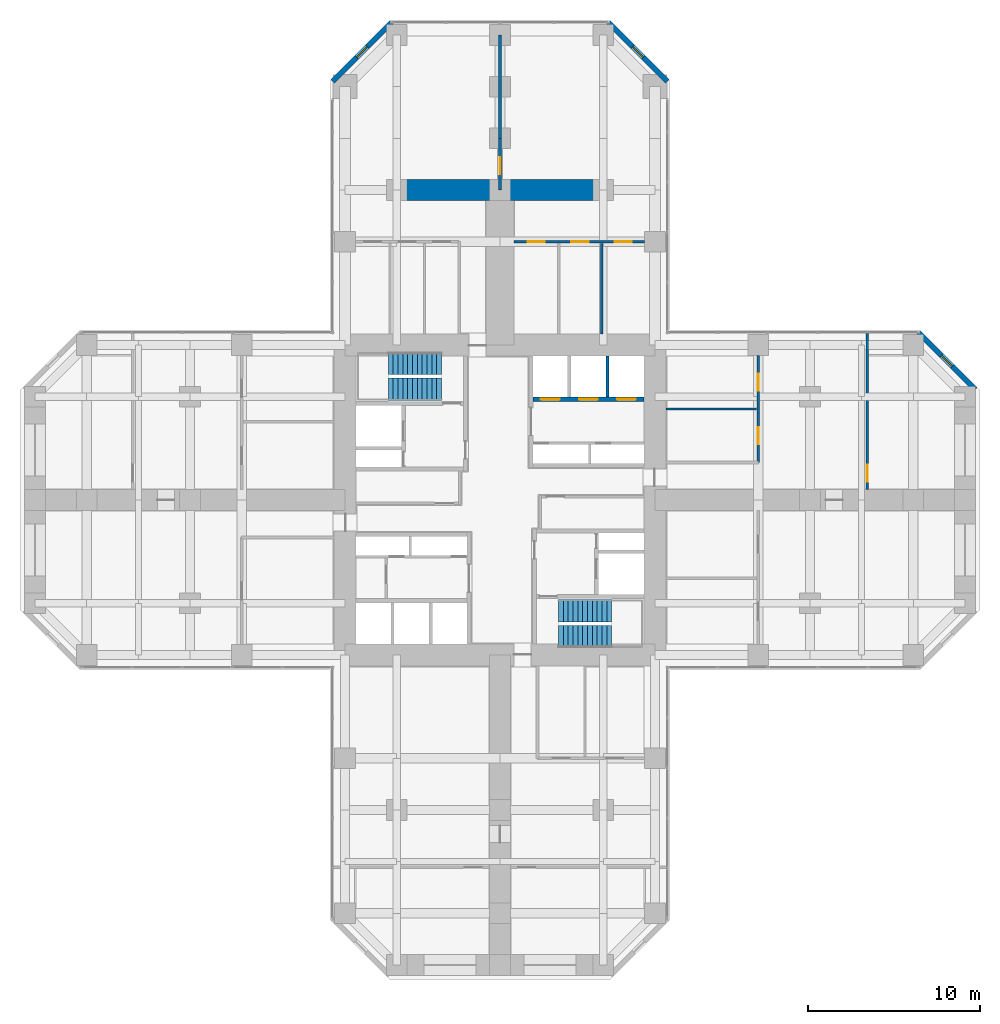
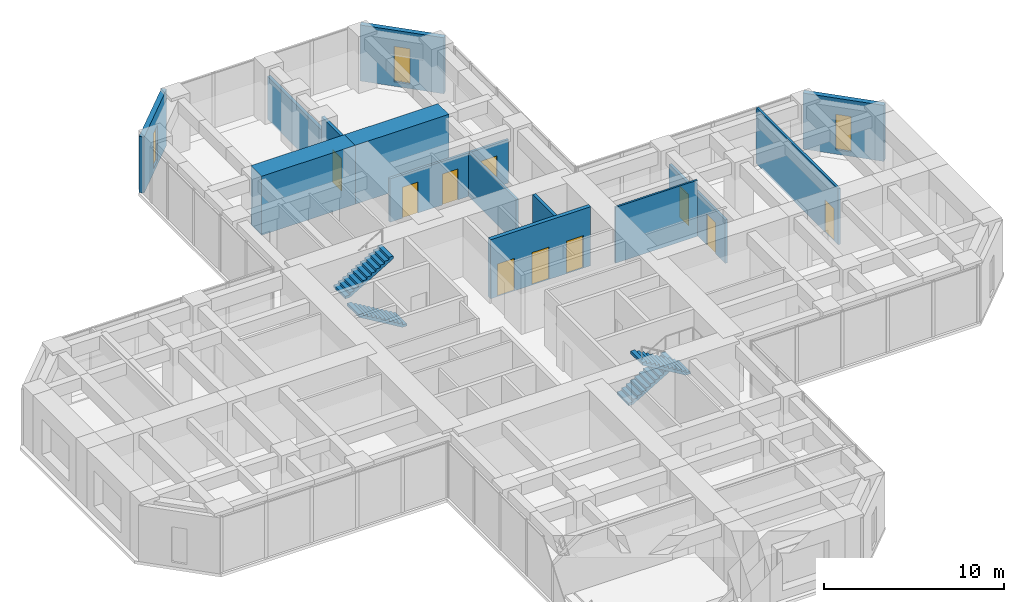
# One storey, part 11 of 12: 14 walls, 10 doors, 4 stair flights, 3 windows, 13 openings, 2 elements without a shape of their own.
"""IFC4 building model written with IfcOpenShell, lengths in metres."""

from ifc_helpers import new_model, si_unit, direction, frame, frame_2d, origin, place, context, subcontext, project, spatial, polyline, rectangle, hollow_rectangle, outline, extrude, material, layer, layer_set, constituent, constituent_set, type_object, element, fill, aggregate, save


model = new_model("IFC4")

# Units and contexts
model_context = context("Model", 3, precision=1e-05, world=origin(), true_north=direction((0.0, 1.0)))
body_context = subcontext(model_context, "Body", "Model", "MODEL_VIEW")
ifc_project = project(units=[si_unit("LENGTHUNIT", "METRE"), si_unit("AREAUNIT", "SQUARE_METRE"), si_unit("VOLUMEUNIT", "CUBIC_METRE"), si_unit("PLANEANGLEUNIT", "RADIAN"), si_unit("MASSUNIT", "GRAM", prefix="KILO")], contexts=[model_context])

# Site, building, storey
site_placement = place(None, origin())
site = spatial("IfcSite", under=ifc_project, at=site_placement, CompositionType="ELEMENT")
building_placement = place(site_placement, origin())
building = spatial("IfcBuilding", under=site, at=building_placement, Name="Torre Cruceta", CompositionType="ELEMENT")
storey_placement = place(building_placement, frame((0.0, 0.0, 87.5)))
storey = spatial("IfcBuildingStorey", under=building, at=storey_placement, Name="L21", CompositionType="ELEMENT", Elevation=87.5)

# Wall, openings, doors
ifc_material_1 = material(Name="Concrete G60 (fck 60 MPa)", Category="concrete")
ifc_layer_1 = layer(ifc_material_1, 0.25)
ifc_layer_set_1 = layer_set([ifc_layer_1], Name="Concrete G60 (fck 60 MPa)")
wall_type_1 = type_object("IfcWallType", Name="CORE INNER WALL 250 G60", PredefinedType="SHEAR", material=ifc_layer_set_1)
wall_1_placement = place(storey_placement, frame((1.925048828125, 5.85009765625, 0.0), z_axis=(0.0, 0.0, 1.0), x_axis=(1.0, 0.0, 0.0)))
wall_1 = element("IfcWall", 1, at=wall_1_placement, inside=storey, type_object=wall_type_1, Name="CW4 L21 NE-LV", PredefinedType="SHEAR", context=body_context, shape_type="SweptSolid", body=[
    extrude(rectangle(XDim=6.425048828125, YDim=0.25, at=frame_2d((3.21240234375, 0.0))), origin(), (0.0, 0.0, 1.0), 4.0),
])
opening_1_placement = place(wall_1_placement, frame((0.4541015625, 0.0, 0.0)))
opening_1 = element("IfcOpeningElement", 2, at=opening_1_placement, cuts=wall_1, Name="Opening LD1", PredefinedType="OPENING", context=body_context, shape_type="SweptSolid", body=[
    extrude(rectangle(XDim=1.10009765625, YDim=2.199951171875, at=frame_2d((0.550048828125, 1.10009765625))), frame((0.0, 0.135009765625, 0.0), z_axis=(0.0, -1.0, 0.0), x_axis=(1.0, 0.0, 0.0)), (0.0, 0.0, 1.0), 0.27001953125),
])
opening_2_placement = place(wall_1_placement, frame((2.66259765625, 0.0, 0.0)))
opening_2 = element("IfcOpeningElement", 3, at=opening_2_placement, cuts=wall_1, Name="Opening LD1", PredefinedType="OPENING", context=body_context, shape_type="SweptSolid", body=[
    extrude(rectangle(XDim=1.10009765625, YDim=2.199951171875, at=frame_2d((0.550048828125, 1.10009765625))), frame((0.0, 0.135009765625, 0.0), z_axis=(0.0, -1.0, 0.0), x_axis=(1.0, 0.0, 0.0)), (0.0, 0.0, 1.0), 0.27001953125),
])
opening_3_placement = place(wall_1_placement, frame((4.870849609375, 0.0, 0.0)))
opening_3 = element("IfcOpeningElement", 4, at=opening_3_placement, cuts=wall_1, Name="Opening LD1", PredefinedType="OPENING", context=body_context, shape_type="SweptSolid", body=[
    extrude(rectangle(XDim=1.10009765625, YDim=2.199951171875, at=frame_2d((0.550048828125, 1.10009765625))), frame((0.0, 0.135009765625, 0.0), z_axis=(0.0, -1.0, 0.0), x_axis=(1.0, 0.0, 0.0)), (0.0, 0.0, 1.0), 0.27001953125),
])
ifc_material_2 = material(Name="Stainless steel 1.4401", Category="steel")
door_type_1 = type_object("IfcDoorType", Name="LIFT LANDING DOOR 1100X2200", OperationType="DOUBLE_DOOR_SLIDING", PredefinedType="DOOR", material=ifc_material_2)
door_1_placement = place(opening_1_placement, origin())
door_1 = element("IfcDoor", 5, at=door_1_placement, inside=storey, type_object=door_type_1, Name="Lift landing door P1", OperationType="DOUBLE_DOOR_SLIDING", OverallHeight=2.199951171875, OverallWidth=1.10009765625, PredefinedType="DOOR", context=body_context, shape_type="SweptSolid", body=[
    extrude(rectangle(XDim=1.10009765625, YDim=2.199951171875, at=frame_2d((0.550048828125, 1.10009765625))), frame((0.0, 0.02490234375, 0.0), z_axis=(0.0, -1.0, 0.0), x_axis=(1.0, 0.0, 0.0)), (0.0, 0.0, 1.0), 0.050048828125),
])
fill(opening_1, door_1)
door_2_placement = place(opening_2_placement, origin())
door_2 = element("IfcDoor", 6, at=door_2_placement, inside=storey, type_object=door_type_1, Name="Lift landing door P2", OperationType="DOUBLE_DOOR_SLIDING", OverallHeight=2.199951171875, OverallWidth=1.10009765625, PredefinedType="DOOR", context=body_context, shape_type="SweptSolid", body=[
    extrude(rectangle(XDim=1.10009765625, YDim=2.199951171875, at=frame_2d((0.550048828125, 1.10009765625))), frame((0.0, 0.02490234375, 0.0), z_axis=(0.0, -1.0, 0.0), x_axis=(1.0, 0.0, 0.0)), (0.0, 0.0, 1.0), 0.050048828125),
])
fill(opening_2, door_2)
door_3_placement = place(opening_3_placement, origin())
door_3 = element("IfcDoor", 7, at=door_3_placement, inside=storey, type_object=door_type_1, Name="Lift landing door P3", OperationType="DOUBLE_DOOR_SLIDING", OverallHeight=2.199951171875, OverallWidth=1.10009765625, PredefinedType="DOOR", context=body_context, shape_type="SweptSolid", body=[
    extrude(rectangle(XDim=1.10009765625, YDim=2.199951171875, at=frame_2d((0.550048828125, 1.10009765625))), frame((0.0, 0.02490234375, 0.0), z_axis=(0.0, -1.0, 0.0), x_axis=(1.0, 0.0, 0.0)), (0.0, 0.0, 1.0), 0.050048828125),
])
fill(opening_3, door_3)

# Wall, opening, door
ifc_material_3 = material(Name="Concrete G25 (fck 25 MPa)", Category="concrete")
ifc_layer_2 = layer(ifc_material_3, 0.199951171875)
ifc_layer_set_2 = layer_set([ifc_layer_2], Name="Concrete G25 (fck 25 MPa)")
wall_type_2 = type_object("IfcWallType", Name="CORRIDOR WALL 200", PredefinedType="SOLIDWALL", material=ifc_layer_set_2)
wall_2_placement = place(storey_placement, frame((0.0, 18.0, 0.0), z_axis=(0.0, 0.0, 1.0), x_axis=(0.0, 1.0, 0.0)))
wall_2 = element("IfcWall", 8, at=wall_2_placement, inside=storey, type_object=wall_type_2, Name="PT3 spine line L21 N", PredefinedType="SOLIDWALL", context=body_context, shape_type="SweptSolid", body=[
    extrude(rectangle(XDim=3.0, YDim=0.199951171875, at=frame_2d((1.5, 0.0))), origin(), (0.0, 0.0, 1.0), 3.800048828125),
])
opening_4_placement = place(wall_2_placement, frame((0.89990234375, 0.0, 0.0)))
opening_4 = element("IfcOpeningElement", 9, at=opening_4_placement, cuts=wall_2, Name="Opening D14", PredefinedType="OPENING", context=body_context, shape_type="SweptSolid", body=[
    extrude(rectangle(XDim=1.0, YDim=2.199951171875, at=frame_2d((0.5, 1.10009765625))), frame((0.0, 0.10986328125, 0.0), z_axis=(0.0, -1.0, 0.0), x_axis=(1.0, 0.0, 0.0)), (0.0, 0.0, 1.0), 0.219970703125),
])
ifc_material_4 = material(Name="Steel DX51D", Category="steel")
ifc_constituent_1 = constituent(ifc_material_4, Name="Leaf and frame")
ifc_material_5 = material(Name="Polyester powder coating", Category="paint")
ifc_constituent_2 = constituent(ifc_material_5, Name="Finish")
ifc_material_6 = material(Name="Fire-resisting glass", Category="glass")
ifc_constituent_3 = constituent(ifc_material_6, Name="Vision panel")
ifc_constituent_set_1 = constituent_set(constituents=[ifc_constituent_1, ifc_constituent_2, ifc_constituent_3], Name="Steel fire door with vision panel")
door_type_2 = type_object("IfcDoorType", Name="FIRE DOOR VISION PANEL 1000X2200", OperationType="SINGLE_SWING_RIGHT", PredefinedType="DOOR", material=ifc_constituent_set_1)
door_4_placement = place(opening_4_placement, frame((1.0, 0.0, 0.0), z_axis=(0.0, 0.0, 1.0), x_axis=(-1.0, 0.0, 0.0)))
door_4 = element("IfcDoor", 10, at=door_4_placement, inside=storey, type_object=door_type_2, Name="D14 L21-N-SP1", OperationType="SINGLE_SWING_RIGHT", OverallHeight=2.199951171875, OverallWidth=1.0, PredefinedType="DOOR", context=body_context, shape_type="SweptSolid", body=[
    extrude(rectangle(XDim=1.0, YDim=2.199951171875, at=frame_2d((0.5, 1.10009765625))), frame((0.0, 0.025146484375, 0.0), z_axis=(0.0, -1.0, 0.0), x_axis=(1.0, 0.0, 0.0)), (0.0, 0.0, 1.0), 0.050048828125),
])
fill(opening_4, door_4)

# Walls
wall_3_placement = place(storey_placement, frame((0.0, 21.0, 0.0), z_axis=(0.0, 0.0, 1.0), x_axis=(0.0, 1.0, 0.0)))
element("IfcWall", 11, at=wall_3_placement, inside=storey, type_object=wall_type_2, Name="PT3 spine line L21 N 2", PredefinedType="SOLIDWALL", context=body_context, shape_type="SweptSolid", body=[
    extrude(rectangle(XDim=6.0, YDim=0.199951171875, at=frame_2d((3.0, 0.0))), origin(), (0.0, 0.0, 1.0), 2.89990234375),
])
ifc_material_7 = material(Name="Concrete G60 (fck 60 MPa)", Category="concrete")
ifc_layer_3 = layer(ifc_material_7, 1.199951171875)
ifc_layer_set_3 = layer_set([ifc_layer_3], Name="Concrete G60 (fck 60 MPa)")
wall_type_3 = type_object("IfcWallType", Name="CROSS WALL 1200 G60", PredefinedType="SHEAR", material=ifc_layer_set_3)
for number, where, z_axis, x_axis, name in (
    (12, (0.0, 18.0, 0.0), (0.0, 0.0, 1.0), (-1.0, 0.0, 0.0), "XW1 cross wall L21 N L"),
    (13, (0.0, 18.0, 0.0), (0.0, 0.0, 1.0), (1.0, 0.0, 0.0), "XW1 cross wall L21 N R"),
):
    element("IfcWall", number, at=place(storey_placement, frame(where, z_axis=z_axis, x_axis=x_axis)), inside=storey, type_object=wall_type_3, Name=name, PredefinedType="SHEAR", context=body_context, shape_type="SweptSolid", body=[
        extrude(rectangle(XDim=6.0, YDim=1.199951171875, at=frame_2d((3.0, 0.0))), origin(), (0.0, 0.0, 1.0), 4.0),
    ])

# Wall, opening, window
ifc_material_8 = material(Name="Concrete G30 (fck 30 MPa)", Category="concrete")
ifc_layer_4 = layer(ifc_material_8, 0.300048828125)
ifc_layer_set_4 = layer_set([ifc_layer_4], Name="Concrete G30 (fck 30 MPa)")
wall_type_4 = type_object("IfcWallType", Name="EXPOSED CONCRETE FACADE WALL 300", PredefinedType="SOLIDWALL", material=ifc_layer_set_4)
wall_4_placement = place(storey_placement, frame((27.60009765625, 6.418212890625, 0.0), z_axis=(0.0, 0.0, 1.0), x_axis=(-0.707106781187, 0.707106781187, 0.0)))
wall_4 = element("IfcWall", 14, at=wall_4_placement, inside=storey, type_object=wall_type_4, Name="EW1 facade wall L21 E chamfer 03", PredefinedType="SOLIDWALL", context=body_context, shape_type="SweptSolid", body=[
    extrude(rectangle(XDim=4.66943359375, YDim=0.300048828125, at=frame_2d((2.334716796875, 0.0))), origin(), (0.0, 0.0, 1.0), 3.800048828125),
])
opening_5_placement = place(wall_4_placement, frame((1.884765625, 0.0, 0.300048828125)))
opening_5 = element("IfcOpeningElement", 15, at=opening_5_placement, cuts=wall_4, Name="Opening WN5", PredefinedType="OPENING", context=body_context, shape_type="SweptSolid", body=[
    extrude(rectangle(XDim=0.89990234375, YDim=2.39990234375, at=frame_2d((0.449951171875, 1.199951171875))), frame((0.0, 0.159912109375, 0.0), z_axis=(0.0, -1.0, 0.0), x_axis=(1.0, 0.0, 0.0)), (0.0, 0.0, 1.0), 0.320068359375),
])
ifc_material_9 = material(Name="Aluminium window frame", Category="aluminium")
ifc_constituent_4 = constituent(ifc_material_9, Name="Frame")
ifc_material_10 = material(Name="Laminated insulating glass unit, low-iron clear", Category="glass")
ifc_constituent_5 = constituent(ifc_material_10, Name="Glazing")
ifc_constituent_set_2 = constituent_set(constituents=[ifc_constituent_4, ifc_constituent_5], Name="Aluminium window")
window_type = type_object("IfcWindowType", Name="CHAMFER SLOT WINDOW 900X2400", PartitioningType="SINGLE_PANEL", PredefinedType="WINDOW", material=ifc_constituent_set_2)
window_1_placement = place(opening_5_placement, origin())
window_1 = element("IfcWindow", 16, at=window_1_placement, inside=storey, type_object=window_type, Name="WN5 L21 E 1", OverallHeight=2.39990234375, OverallWidth=0.89990234375, PartitioningType="SINGLE_PANEL", PredefinedType="WINDOW", context=body_context, shape_type="SweptSolid", body=[
    extrude(hollow_rectangle(XDim=0.89990234375, YDim=2.39990234375, WallThickness=0.06005859375, at=frame_2d((0.449951171875, 1.199951171875))), frame((0.0, 0.030029296875, 0.0), z_axis=(0.0, -1.0, 0.0), x_axis=(1.0, 0.0, 0.0)), (0.0, 0.0, 1.0), 0.06005859375),
    extrude(rectangle(XDim=0.77880859375, YDim=2.27880859375, at=frame_2d((0.449951171875, 1.199951171875))), frame((0.0, 0.030029296875, 0.0), z_axis=(0.0, -1.0, 0.0), x_axis=(1.0, 0.0, 0.0)), (0.0, 0.0, 1.0), 0.06005859375),
])
fill(opening_5, window_1)

wall_5_placement = place(storey_placement, frame((9.719970703125, 24.29833984375, 0.0), z_axis=(0.0, 0.0, 1.0), x_axis=(-0.707106781187, 0.707106781187, 0.0)))
wall_5 = element("IfcWall", 17, at=wall_5_placement, inside=storey, type_object=wall_type_4, Name="EW1 facade wall L21 N chamfer 06", PredefinedType="SOLIDWALL", context=body_context, shape_type="SweptSolid", body=[
    extrude(rectangle(XDim=4.8388671875, YDim=0.300048828125, at=frame_2d((2.41943359375, 0.0))), origin(), (0.0, 0.0, 1.0), 3.800048828125),
])
opening_6_placement = place(wall_5_placement, frame((1.969482421875, 0.0, 0.300048828125)))
opening_6 = element("IfcOpeningElement", 18, at=opening_6_placement, cuts=wall_5, Name="Opening WN5", PredefinedType="OPENING", context=body_context, shape_type="SweptSolid", body=[
    extrude(rectangle(XDim=0.89990234375, YDim=2.39990234375, at=frame_2d((0.449951171875, 1.199951171875))), frame((0.0, 0.159912109375, 0.0), z_axis=(0.0, -1.0, 0.0), x_axis=(1.0, 0.0, 0.0)), (0.0, 0.0, 1.0), 0.320068359375),
])
window_2_placement = place(opening_6_placement, origin())
window_2 = element("IfcWindow", 19, at=window_2_placement, inside=storey, type_object=window_type, Name="WN5 L21 N 1", OverallHeight=2.39990234375, OverallWidth=0.89990234375, PartitioningType="SINGLE_PANEL", PredefinedType="WINDOW", context=body_context, shape_type="SweptSolid", body=[
    extrude(hollow_rectangle(XDim=0.89990234375, YDim=2.39990234375, WallThickness=0.06005859375, at=frame_2d((0.449951171875, 1.199951171875))), frame((0.0, 0.030029296875, 0.0), z_axis=(0.0, -1.0, 0.0), x_axis=(1.0, 0.0, 0.0)), (0.0, 0.0, 1.0), 0.06005859375),
    extrude(rectangle(XDim=0.77880859375, YDim=2.27880859375, at=frame_2d((0.449951171875, 1.199951171875))), frame((0.0, 0.030029296875, 0.0), z_axis=(0.0, -1.0, 0.0), x_axis=(1.0, 0.0, 0.0)), (0.0, 0.0, 1.0), 0.06005859375),
])
fill(opening_6, window_2)

wall_6_placement = place(storey_placement, frame((-6.29833984375, 27.719970703125, 0.0), z_axis=(0.0, 0.0, 1.0), x_axis=(-0.707106781187, -0.707106781187, 0.0)))
wall_6 = element("IfcWall", 20, at=wall_6_placement, inside=storey, type_object=wall_type_4, Name="EW1 facade wall L21 N chamfer 08", PredefinedType="SOLIDWALL", context=body_context, shape_type="SweptSolid", body=[
    extrude(rectangle(XDim=4.8388671875, YDim=0.300048828125, at=frame_2d((2.41943359375, 0.0))), origin(), (0.0, 0.0, 1.0), 3.800048828125),
])
opening_7_placement = place(wall_6_placement, frame((1.969482421875, 0.0, 0.300048828125)))
opening_7 = element("IfcOpeningElement", 21, at=opening_7_placement, cuts=wall_6, Name="Opening WN5", PredefinedType="OPENING", context=body_context, shape_type="SweptSolid", body=[
    extrude(rectangle(XDim=0.89990234375, YDim=2.39990234375, at=frame_2d((0.449951171875, 1.199951171875))), frame((0.0, 0.159912109375, 0.0), z_axis=(0.0, -1.0, 0.0), x_axis=(1.0, 0.0, 0.0)), (0.0, 0.0, 1.0), 0.320068359375),
])
window_3_placement = place(opening_7_placement, origin())
window_3 = element("IfcWindow", 22, at=window_3_placement, inside=storey, type_object=window_type, Name="WN5 L21 N 1", OverallHeight=2.39990234375, OverallWidth=0.89990234375, PartitioningType="SINGLE_PANEL", PredefinedType="WINDOW", context=body_context, shape_type="SweptSolid", body=[
    extrude(hollow_rectangle(XDim=0.89990234375, YDim=2.39990234375, WallThickness=0.06005859375, at=frame_2d((0.449951171875, 1.199951171875))), frame((0.0, 0.030029296875, 0.0), z_axis=(0.0, -1.0, 0.0), x_axis=(1.0, 0.0, 0.0)), (0.0, 0.0, 1.0), 0.06005859375),
    extrude(rectangle(XDim=0.77880859375, YDim=2.27880859375, at=frame_2d((0.449951171875, 1.199951171875))), frame((0.0, 0.030029296875, 0.0), z_axis=(0.0, -1.0, 0.0), x_axis=(1.0, 0.0, 0.0)), (0.0, 0.0, 1.0), 0.06005859375),
])
fill(opening_7, window_3)

# Wall
ifc_material_11 = material(Name="Concrete G35 (fck 35 MPa)", Category="concrete")
ifc_layer_5 = layer(ifc_material_11, 0.199951171875)
ifc_layer_set_5 = layer_set([ifc_layer_5], Name="Concrete G35 (fck 35 MPa)")
wall_type_5 = type_object("IfcWallType", Name="LIFT SHAFT WALL 200", PredefinedType="PARTITIONING", material=ifc_layer_set_5)
wall_7_placement = place(storey_placement, frame((6.24169921875, 5.97509765625, 0.0), z_axis=(0.0, 0.0, 1.0), x_axis=(0.0, 1.0, 0.0)))
element("IfcWall", 23, at=wall_7_placement, inside=storey, type_object=wall_type_5, Name="SW1 L21 NE-LS2", PredefinedType="PARTITIONING", context=body_context, shape_type="SweptSolid", body=[
    extrude(rectangle(XDim=2.375, YDim=0.199951171875, at=frame_2d((1.1875, 0.0))), origin(), (0.0, 0.0, 1.0), 4.0),
])

# Wall, openings, doors
ifc_material_12 = material(Name="Plasterboard on steel studs", Category="steel")
ifc_layer_6 = layer(ifc_material_12, 0.14990234375)
ifc_layer_set_6 = layer_set([ifc_layer_6], Name="Plasterboard on steel studs")
wall_type_6 = type_object("IfcWallType", Name="PARTITION 150", PredefinedType="PARTITIONING", material=ifc_layer_set_6)
wall_8_placement = place(storey_placement, frame((8.39990234375, 15.0, 0.0), z_axis=(0.0, 0.0, 1.0), x_axis=(-1.0, 0.0, 0.0)))
wall_8 = element("IfcWall", 24, at=wall_8_placement, inside=storey, type_object=wall_type_6, Name="PT1 L21-N-BFR", PredefinedType="PARTITIONING", context=body_context, shape_type="SweptSolid", body=[
    extrude(rectangle(XDim=7.599853515625, YDim=0.14990234375, at=frame_2d((3.7998046875, 0.0))), origin(), (0.0, 0.0, 1.0), 2.949951171875),
])
opening_8_placement = place(wall_8_placement, frame((0.75, 0.0, 0.0)))
opening_8 = element("IfcOpeningElement", 25, at=opening_8_placement, cuts=wall_8, Name="Opening D3", PredefinedType="OPENING", context=body_context, shape_type="SweptSolid", body=[
    extrude(rectangle(XDim=1.0, YDim=2.10009765625, at=frame_2d((0.5, 1.050048828125))), frame((0.0, 0.0849609375, 0.0), z_axis=(0.0, -1.0, 0.0), x_axis=(1.0, 0.0, 0.0)), (0.0, 0.0, 1.0), 0.169921875),
])
opening_9_placement = place(wall_8_placement, frame((3.25, 0.0, 0.0)))
opening_9 = element("IfcOpeningElement", 26, at=opening_9_placement, cuts=wall_8, Name="Opening D3", PredefinedType="OPENING", context=body_context, shape_type="SweptSolid", body=[
    extrude(rectangle(XDim=1.0, YDim=2.10009765625, at=frame_2d((0.5, 1.050048828125))), frame((0.0, 0.0849609375, 0.0), z_axis=(0.0, -1.0, 0.0), x_axis=(1.0, 0.0, 0.0)), (0.0, 0.0, 1.0), 0.169921875),
])
opening_10_placement = place(wall_8_placement, frame((5.800048828125, 0.0, 0.0)))
opening_10 = element("IfcOpeningElement", 27, at=opening_10_placement, cuts=wall_8, Name="Opening D3", PredefinedType="OPENING", context=body_context, shape_type="SweptSolid", body=[
    extrude(rectangle(XDim=1.0, YDim=2.10009765625, at=frame_2d((0.5, 1.050048828125))), frame((0.0, 0.0849609375, 0.0), z_axis=(0.0, -1.0, 0.0), x_axis=(1.0, 0.0, 0.0)), (0.0, 0.0, 1.0), 0.169921875),
])
ifc_material_13 = material(Name="Steel DX51D", Category="steel")
ifc_constituent_6 = constituent(ifc_material_13, Name="Leaf and frame")
ifc_material_14 = material(Name="Polyester powder coating", Category="paint")
ifc_constituent_7 = constituent(ifc_material_14, Name="Finish")
ifc_constituent_set_3 = constituent_set(constituents=[ifc_constituent_6, ifc_constituent_7], Name="Steel fire door")
door_type_3 = type_object("IfcDoorType", Name="FIRE DOOR 1000X2100", OperationType="SINGLE_SWING_LEFT", PredefinedType="DOOR", material=ifc_constituent_set_3)
door_5_placement = place(opening_8_placement, origin())
door_5 = element("IfcDoor", 28, at=door_5_placement, inside=storey, type_object=door_type_3, Name="D3 L21-N-BFR-D1", OperationType="SINGLE_SWING_RIGHT", OverallHeight=2.10009765625, OverallWidth=1.0, PredefinedType="DOOR", context=body_context, shape_type="SweptSolid", body=[
    extrude(rectangle(XDim=1.0, YDim=2.10009765625, at=frame_2d((0.5, 1.050048828125))), frame((0.0, 0.02490234375, 0.0), z_axis=(0.0, -1.0, 0.0), x_axis=(1.0, 0.0, 0.0)), (0.0, 0.0, 1.0), 0.050048828125),
])
fill(opening_8, door_5)
door_6_placement = place(opening_9_placement, origin())
door_6 = element("IfcDoor", 29, at=door_6_placement, inside=storey, type_object=door_type_3, Name="D3 L21-N-BFR-D2", OperationType="SINGLE_SWING_LEFT", OverallHeight=2.10009765625, OverallWidth=1.0, PredefinedType="DOOR", context=body_context, shape_type="SweptSolid", body=[
    extrude(rectangle(XDim=1.0, YDim=2.10009765625, at=frame_2d((0.5, 1.050048828125))), frame((0.0, 0.02490234375, 0.0), z_axis=(0.0, -1.0, 0.0), x_axis=(1.0, 0.0, 0.0)), (0.0, 0.0, 1.0), 0.050048828125),
])
fill(opening_9, door_6)
door_7_placement = place(opening_10_placement, origin())
door_7 = element("IfcDoor", 30, at=door_7_placement, inside=storey, type_object=door_type_3, Name="D3 L21-N-BFR-D3", OperationType="SINGLE_SWING_LEFT", OverallHeight=2.10009765625, OverallWidth=1.0, PredefinedType="DOOR", context=body_context, shape_type="SweptSolid", body=[
    extrude(rectangle(XDim=1.0, YDim=2.10009765625, at=frame_2d((0.5, 1.050048828125))), frame((0.0, 0.02490234375, 0.0), z_axis=(0.0, -1.0, 0.0), x_axis=(1.0, 0.0, 0.0)), (0.0, 0.0, 1.0), 0.050048828125),
])
fill(opening_10, door_7)

# Wall
wall_9_placement = place(storey_placement, frame((5.89990234375, 9.64990234375, 0.0), z_axis=(0.0, 0.0, 1.0), x_axis=(0.0, 1.0, 0.0)))
element("IfcWall", 31, at=wall_9_placement, inside=storey, type_object=wall_type_6, Name="PT1 L21-N-BDR2", PredefinedType="PARTITIONING", context=body_context, shape_type="SweptSolid", body=[
    extrude(rectangle(XDim=5.25, YDim=0.14990234375, at=frame_2d((2.625, 0.0))), origin(), (0.0, 0.0, 1.0), 3.0),
])

# Wall, openings, doors
wall_10_placement = place(storey_placement, frame((15.0, 2.175048828125, 0.0), z_axis=(0.0, 0.0, 1.0), x_axis=(0.0, 1.0, 0.0)))
wall_10 = element("IfcWall", 32, at=wall_10_placement, inside=storey, type_object=wall_type_6, Name="PT1 L21-E-BFL", PredefinedType="PARTITIONING", context=body_context, shape_type="SweptSolid", body=[
    extrude(rectangle(XDim=6.224853515625, YDim=0.14990234375, at=frame_2d((3.1123046875, 0.0))), origin(), (0.0, 0.0, 1.0), 2.949951171875),
])
opening_11_placement = place(wall_10_placement, frame((1.05615234375, 0.0, 0.0)))
opening_11 = element("IfcOpeningElement", 33, at=opening_11_placement, cuts=wall_10, Name="Opening D3", PredefinedType="OPENING", context=body_context, shape_type="SweptSolid", body=[
    extrude(rectangle(XDim=1.0, YDim=2.10009765625, at=frame_2d((0.5, 1.050048828125))), frame((0.0, 0.0849609375, 0.0), z_axis=(0.0, -1.0, 0.0), x_axis=(1.0, 0.0, 0.0)), (0.0, 0.0, 1.0), 0.169921875),
])
opening_12_placement = place(wall_10_placement, frame((4.168701171875, 0.0, 0.0)))
opening_12 = element("IfcOpeningElement", 34, at=opening_12_placement, cuts=wall_10, Name="Opening D3", PredefinedType="OPENING", context=body_context, shape_type="SweptSolid", body=[
    extrude(rectangle(XDim=1.0, YDim=2.10009765625, at=frame_2d((0.5, 1.050048828125))), frame((0.0, 0.0849609375, 0.0), z_axis=(0.0, -1.0, 0.0), x_axis=(1.0, 0.0, 0.0)), (0.0, 0.0, 1.0), 0.169921875),
])
door_8_placement = place(opening_11_placement, origin())
door_8 = element("IfcDoor", 35, at=door_8_placement, inside=storey, type_object=door_type_3, Name="D3 L21-E-BFL-D1", OperationType="SINGLE_SWING_LEFT", OverallHeight=2.10009765625, OverallWidth=1.0, PredefinedType="DOOR", context=body_context, shape_type="SweptSolid", body=[
    extrude(rectangle(XDim=1.0, YDim=2.10009765625, at=frame_2d((0.5, 1.050048828125))), frame((0.0, 0.02490234375, 0.0), z_axis=(0.0, -1.0, 0.0), x_axis=(1.0, 0.0, 0.0)), (0.0, 0.0, 1.0), 0.050048828125),
])
fill(opening_11, door_8)
door_9_placement = place(opening_12_placement, origin())
door_9 = element("IfcDoor", 36, at=door_9_placement, inside=storey, type_object=door_type_3, Name="D3 L21-E-BFL-D2", OperationType="SINGLE_SWING_LEFT", OverallHeight=2.10009765625, OverallWidth=1.0, PredefinedType="DOOR", context=body_context, shape_type="SweptSolid", body=[
    extrude(rectangle(XDim=1.0, YDim=2.10009765625, at=frame_2d((0.5, 1.050048828125))), frame((0.0, 0.02490234375, 0.0), z_axis=(0.0, -1.0, 0.0), x_axis=(1.0, 0.0, 0.0)), (0.0, 0.0, 1.0), 0.050048828125),
])
fill(opening_12, door_9)

# Wall, opening, door
wall_11_placement = place(storey_placement, frame((21.320068359375, 0.60009765625, 0.0), z_axis=(0.0, 0.0, 1.0), x_axis=(0.0, 1.0, 0.0)))
wall_11 = element("IfcWall", 37, at=wall_11_placement, inside=storey, type_object=wall_type_6, Name="PT1 L21-E-TWL", PredefinedType="PARTITIONING", context=body_context, shape_type="SweptSolid", body=[
    extrude(rectangle(XDim=9.079833984375, YDim=0.14990234375, at=frame_2d((4.5400390625, 0.0))), origin(), (0.0, 0.0, 1.0), 3.800048828125),
])
opening_13_placement = place(wall_11_placement, frame((0.449951171875, 0.0, 0.0)))
opening_13 = element("IfcOpeningElement", 38, at=opening_13_placement, cuts=wall_11, Name="Opening D14", PredefinedType="OPENING", context=body_context, shape_type="SweptSolid", body=[
    extrude(rectangle(XDim=1.0, YDim=2.199951171875, at=frame_2d((0.5, 1.10009765625))), frame((0.0, 0.0849609375, 0.0), z_axis=(0.0, -1.0, 0.0), x_axis=(1.0, 0.0, 0.0)), (0.0, 0.0, 1.0), 0.169921875),
])
door_10_placement = place(opening_13_placement, frame((1.0, 0.0, 0.0), z_axis=(0.0, 0.0, 1.0), x_axis=(-1.0, 0.0, 0.0)))
door_10 = element("IfcDoor", 39, at=door_10_placement, inside=storey, type_object=door_type_2, Name="D14 L21-E-TWL-D1", OperationType="SINGLE_SWING_RIGHT", OverallHeight=2.199951171875, OverallWidth=1.0, PredefinedType="DOOR", context=body_context, shape_type="SweptSolid", body=[
    extrude(rectangle(XDim=1.0, YDim=2.199951171875, at=frame_2d((0.5, 1.10009765625))), frame((0.0, 0.025146484375, 0.0), z_axis=(0.0, -1.0, 0.0), x_axis=(1.0, 0.0, 0.0)), (0.0, 0.0, 1.0), 0.050048828125),
])
fill(opening_13, door_10)

# Wall
ifc_material_15 = material(Name="Plasterboard on steel studs", Category="steel")
ifc_layer_7 = layer(ifc_material_15, 0.1201171875)
ifc_layer_set_7 = layer_set([ifc_layer_7], Name="Plasterboard on steel studs")
wall_type_7 = type_object("IfcWallType", Name="WC PARTITION 120", PredefinedType="PLUMBINGWALL", material=ifc_layer_set_7)
wall_12_placement = place(storey_placement, frame((9.64990234375, 5.28759765625, 0.0), z_axis=(0.0, 0.0, 1.0), x_axis=(1.0, 0.0, 0.0)))
element("IfcWall", 40, at=wall_12_placement, inside=storey, type_object=wall_type_7, Name="PT5 L21-E-BDL1", PredefinedType="PLUMBINGWALL", context=body_context, shape_type="SweptSolid", body=[
    extrude(rectangle(XDim=5.25, YDim=0.1201171875, at=frame_2d((2.625, 0.0))), origin(), (0.0, 0.0, 1.0), 3.800048828125),
])

# Stair, stair flights
ifc_material_16 = material(Name="Concrete G30 (fck 30 MPa)", Category="concrete")
stair_type = type_object("IfcStairType", Name="STAIR HALF-TURN 1300", PredefinedType="HALF_TURN_STAIR", material=ifc_material_16)
stair_1_placement = place(storey_placement, origin())
stair_1 = element("IfcStair", 41, at=stair_1_placement, inside=storey, type_object=stair_type, Name="Stair ST1 L21", PredefinedType="HALF_TURN_STAIR")
ifc_material_17 = material(Name="Concrete G30 (fck 30 MPa)", Category="concrete")
stair_flight_type = type_object("IfcStairFlightType", Name="STAIR FLIGHT 1300", PredefinedType="STRAIGHT", material=ifc_material_17)
stair_flight_1_placement = place(storey_placement, frame((-3.39990234375, 6.425048828125, 0.0), z_axis=(0.0, 0.0, 1.0), x_axis=(-1.0, 0.0, 0.0)))
stair_flight_1 = element("IfcStairFlight", 42, at=stair_flight_1_placement, type_object=stair_flight_type, Name="ST1 flight 1", NumberOfRisers=12, NumberOfTreads=11, PredefinedType="STRAIGHT", RiserHeight=0.166666667, TreadLength=0.28, context=body_context, shape_type="SweptSolid", body=[
    extrude(outline(polyline([(0.0, 0.0), (0.0, 0.166748046875), (0.280029296875, 0.166748046875), (0.280029296875, 0.333251953125), (0.56005859375, 0.333251953125), (0.56005859375, 0.5), (0.840087890625, 0.5), (0.840087890625, 0.666748046875), (1.1201171875, 0.666748046875), (1.1201171875, 0.833251953125), (1.39990234375, 0.833251953125), (1.39990234375, 1.0), (1.679931640625, 1.0), (1.679931640625, 1.166748046875), (1.9599609375, 1.166748046875), (1.9599609375, 1.333251953125), (2.239990234375, 1.333251953125), (2.239990234375, 1.5), (2.52001953125, 1.5), (2.52001953125, 1.666748046875), (2.800048828125, 1.666748046875), (2.800048828125, 1.833251953125), (3.080078125, 1.833251953125), (3.080078125, 2.0), (3.080078125, 1.658935546875), (0.29296875, 0.0), (0.0, 0.0)])), frame((0.0, 0.64990234375, 0.0), z_axis=(0.0, -1.0, 0.0), x_axis=(1.0, 0.0, 0.0)), (0.0, 0.0, 1.0), 1.300048828125),
])
stair_flight_2_placement = place(storey_placement, frame((-6.47998046875, 7.925048828125, 2.0), z_axis=(0.0, 0.0, 1.0), x_axis=(1.0, 0.0, 0.0)))
stair_flight_2 = element("IfcStairFlight", 43, at=stair_flight_2_placement, type_object=stair_flight_type, Name="ST1 flight 2", NumberOfRisers=12, NumberOfTreads=11, PredefinedType="STRAIGHT", RiserHeight=0.166666667, TreadLength=0.28, context=body_context, shape_type="SweptSolid", body=[
    extrude(outline(polyline([(0.0, 0.0), (0.0, 0.166748046875), (0.280029296875, 0.166748046875), (0.280029296875, 0.333251953125), (0.56005859375, 0.333251953125), (0.56005859375, 0.5), (0.840087890625, 0.5), (0.840087890625, 0.666748046875), (1.1201171875, 0.666748046875), (1.1201171875, 0.833251953125), (1.39990234375, 0.833251953125), (1.39990234375, 1.0), (1.679931640625, 1.0), (1.679931640625, 1.166748046875), (1.9599609375, 1.166748046875), (1.9599609375, 1.333251953125), (2.239990234375, 1.333251953125), (2.239990234375, 1.5), (2.52001953125, 1.5), (2.52001953125, 1.666748046875), (2.800048828125, 1.666748046875), (2.800048828125, 1.833251953125), (3.080078125, 1.833251953125), (3.080078125, 2.0), (3.080078125, 1.658935546875), (0.29296875, 0.0), (0.0, 0.0)])), frame((0.0, 0.64990234375, 0.0), z_axis=(0.0, -1.0, 0.0), x_axis=(1.0, 0.0, 0.0)), (0.0, 0.0, 1.0), 1.300048828125),
])
aggregate(stair_1, [stair_flight_1, stair_flight_2])

stair_2_placement = place(storey_placement, origin())
stair_2 = element("IfcStair", 44, at=stair_2_placement, inside=storey, type_object=stair_type, Name="Stair ST2 L21", PredefinedType="HALF_TURN_STAIR")
stair_flight_3_placement = place(storey_placement, frame((3.39990234375, -6.425048828125, 0.0), z_axis=(0.0, 0.0, 1.0), x_axis=(1.0, 0.0, 0.0)))
stair_flight_3 = element("IfcStairFlight", 45, at=stair_flight_3_placement, type_object=stair_flight_type, Name="ST2 flight 1", NumberOfRisers=12, NumberOfTreads=11, PredefinedType="STRAIGHT", RiserHeight=0.166666667, TreadLength=0.28, context=body_context, shape_type="SweptSolid", body=[
    extrude(outline(polyline([(0.0, 0.0), (0.0, 0.166748046875), (0.280029296875, 0.166748046875), (0.280029296875, 0.333251953125), (0.56005859375, 0.333251953125), (0.56005859375, 0.5), (0.840087890625, 0.5), (0.840087890625, 0.666748046875), (1.1201171875, 0.666748046875), (1.1201171875, 0.833251953125), (1.39990234375, 0.833251953125), (1.39990234375, 1.0), (1.679931640625, 1.0), (1.679931640625, 1.166748046875), (1.9599609375, 1.166748046875), (1.9599609375, 1.333251953125), (2.239990234375, 1.333251953125), (2.239990234375, 1.5), (2.52001953125, 1.5), (2.52001953125, 1.666748046875), (2.800048828125, 1.666748046875), (2.800048828125, 1.833251953125), (3.080078125, 1.833251953125), (3.080078125, 2.0), (3.080078125, 1.658935546875), (0.29296875, 0.0), (0.0, 0.0)])), frame((0.0, 0.64990234375, 0.0), z_axis=(0.0, -1.0, 0.0), x_axis=(1.0, 0.0, 0.0)), (0.0, 0.0, 1.0), 1.300048828125),
])
stair_flight_4_placement = place(storey_placement, frame((6.47998046875, -7.925048828125, 2.0), z_axis=(0.0, 0.0, 1.0), x_axis=(-1.0, 0.0, 0.0)))
stair_flight_4 = element("IfcStairFlight", 46, at=stair_flight_4_placement, type_object=stair_flight_type, Name="ST2 flight 2", NumberOfRisers=12, NumberOfTreads=11, PredefinedType="STRAIGHT", RiserHeight=0.166666667, TreadLength=0.28, context=body_context, shape_type="SweptSolid", body=[
    extrude(outline(polyline([(0.0, 0.0), (0.0, 0.166748046875), (0.280029296875, 0.166748046875), (0.280029296875, 0.333251953125), (0.56005859375, 0.333251953125), (0.56005859375, 0.5), (0.840087890625, 0.5), (0.840087890625, 0.666748046875), (1.1201171875, 0.666748046875), (1.1201171875, 0.833251953125), (1.39990234375, 0.833251953125), (1.39990234375, 1.0), (1.679931640625, 1.0), (1.679931640625, 1.166748046875), (1.9599609375, 1.166748046875), (1.9599609375, 1.333251953125), (2.239990234375, 1.333251953125), (2.239990234375, 1.5), (2.52001953125, 1.5), (2.52001953125, 1.666748046875), (2.800048828125, 1.666748046875), (2.800048828125, 1.833251953125), (3.080078125, 1.833251953125), (3.080078125, 2.0), (3.080078125, 1.658935546875), (0.29296875, 0.0), (0.0, 0.0)])), frame((0.0, 0.64990234375, 0.0), z_axis=(0.0, -1.0, 0.0), x_axis=(1.0, 0.0, 0.0)), (0.0, 0.0, 1.0), 1.300048828125),
])
aggregate(stair_2, [stair_flight_3, stair_flight_4])

save(model, "model.ifc")
